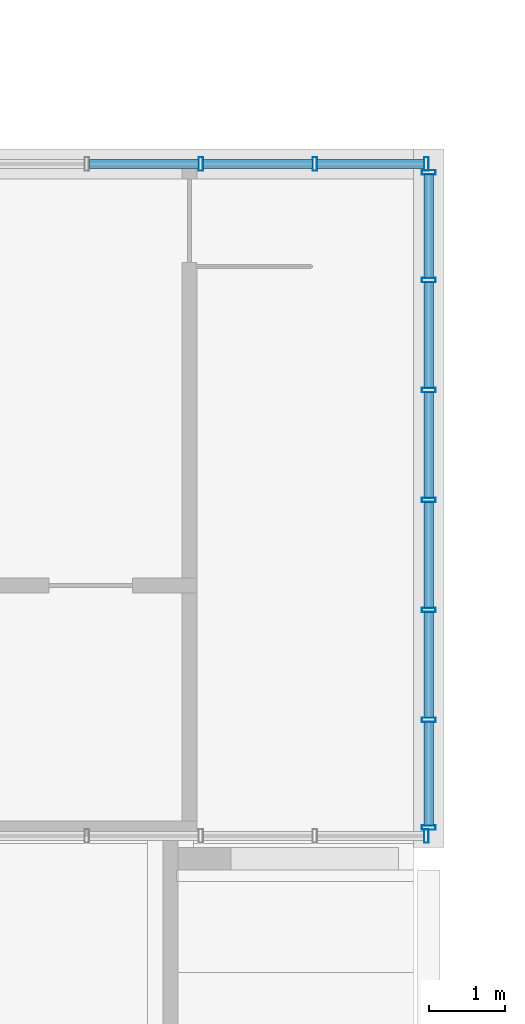
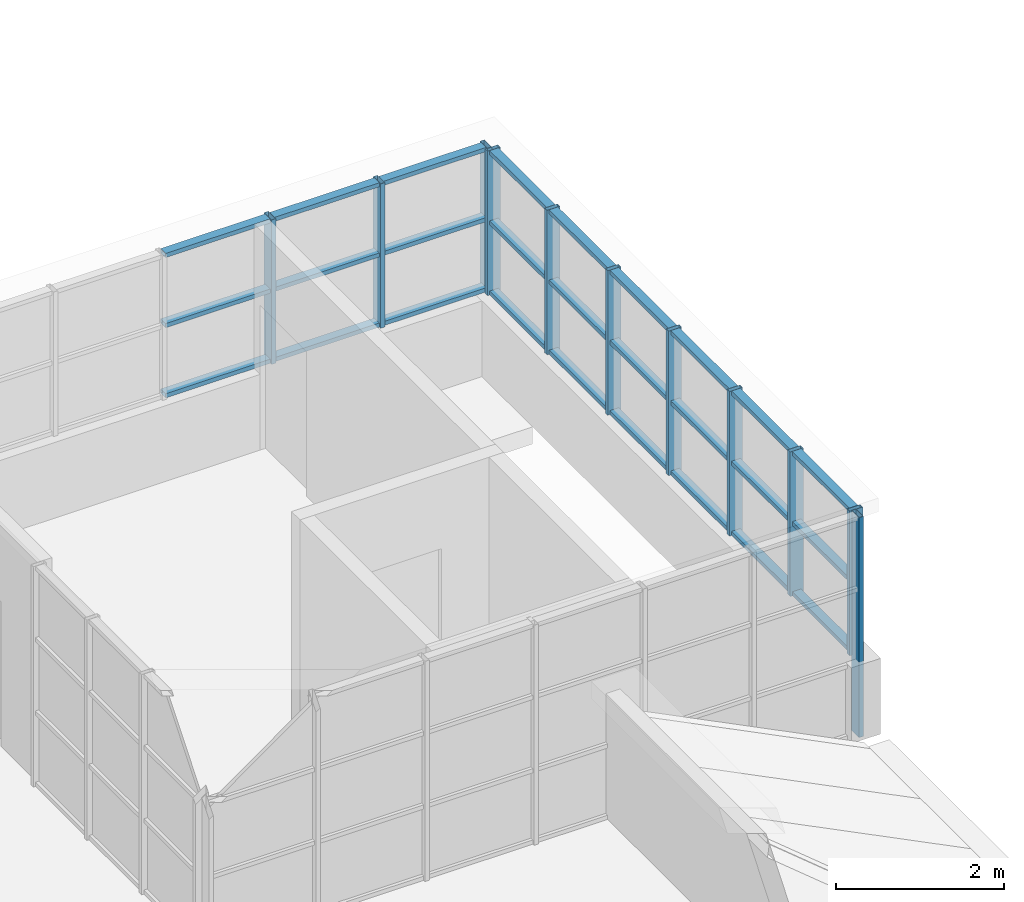
# One storey, part 5 of 69: 38 members, 3 elements without a shape of their own.
"""IFC4 building model written with IfcOpenShell, lengths in metres."""

from ifc_helpers import new_model, si_unit, direction, frame, origin, origin_2d, place, context, subcontext, project, spatial, hollow_rectangle, extrude, material, material_profile, profile_set, type_object, element, aggregate, save


model = new_model("IFC4")

# Units and contexts
model_context = context("Model", 3, precision=1e-05, world=origin(), true_north=direction((0.0, 1.0)))
body_context = subcontext(model_context, "Body", "Model", "MODEL_VIEW")
ifc_project = project(units=[si_unit("LENGTHUNIT", "METRE"), si_unit("AREAUNIT", "SQUARE_METRE"), si_unit("VOLUMEUNIT", "CUBIC_METRE"), si_unit("PLANEANGLEUNIT", "RADIAN"), si_unit("MASSUNIT", "GRAM", prefix="KILO")], contexts=[model_context])

# Site, building, storey
site_placement = place(None, origin())
site = spatial("IfcSite", under=ifc_project, at=site_placement, CompositionType="ELEMENT")
building_placement = place(site_placement, origin())
building = spatial("IfcBuilding", under=site, at=building_placement, Name="Kallimachos Central Library", CompositionType="ELEMENT")
storey_placement = place(building_placement, frame((0.0, 0.0, 23.39990234375)))
storey = spatial("IfcBuildingStorey", under=building, at=storey_placement, Name="L05", CompositionType="ELEMENT", Elevation=23.39990234375)

# Curtain wall, members
ifc_material_1 = material(Name="Aluminium and laminated glass", Category="aluminium")
curtain_wall_type = type_object("IfcCurtainWallType", Name="Glazed lantern wall", PredefinedType="NOTDEFINED", material=ifc_material_1)
curtain_wall_1_placement = place(storey_placement, origin())
curtain_wall_1 = element("IfcCurtainWall", 1, at=curtain_wall_1_placement, inside=storey, type_object=curtain_wall_type, Name="V5-CWL-L05-005", PredefinedType="NOTDEFINED")
ifc_material_2 = material(Name="Anodised aluminium", Category="aluminium")
ifc_material_profile_1 = material_profile(ifc_material_2, hollow_rectangle(XDim=0.06005859375, YDim=0.179931640625, WallThickness=0.00390625, at=origin_2d()), Name="ALU MULLION 60x180")
ifc_profile_set_1 = profile_set([ifc_material_profile_1], Name="Anodised aluminium")
member_type_1 = type_object("IfcMemberType", Name="ALU MULLION 60x180 mullion", PredefinedType="MULLION", material=ifc_profile_set_1)
member_1_placement = place(storey_placement, frame((98.5, 44.85009765625, 1.10009765625), z_axis=(0.0, 0.0, 1.0), x_axis=(1.0, 0.0, 0.0)))
member_1 = element("IfcMember", 2, at=member_1_placement, type_object=member_type_1, Name="CW6 mullion 5", PredefinedType="MULLION", context=body_context, shape_type="SweptSolid", body=[
    extrude(hollow_rectangle(XDim=0.06005859375, YDim=0.179931640625, WallThickness=0.00390625, at=origin_2d()), origin(), (0.0, 0.0, 1.0), 2.10009765625),
])
member_2_placement = place(storey_placement, frame((100.0, 44.85009765625, 1.10009765625), z_axis=(0.0, 0.0, 1.0), x_axis=(1.0, 0.0, 0.0)))
member_2 = element("IfcMember", 3, at=member_2_placement, type_object=member_type_1, Name="CW6 mullion 6", PredefinedType="MULLION", context=body_context, shape_type="SweptSolid", body=[
    extrude(hollow_rectangle(XDim=0.06005859375, YDim=0.179931640625, WallThickness=0.00390625, at=origin_2d()), origin(), (0.0, 0.0, 1.0), 2.10009765625),
])
member_3_placement = place(storey_placement, frame((101.469970703125, 44.85009765625, 1.10009765625), z_axis=(0.0, 0.0, 1.0), x_axis=(1.0, 0.0, 0.0)))
member_3 = element("IfcMember", 4, at=member_3_placement, type_object=member_type_1, Name="CW6 mullion 7", PredefinedType="MULLION", context=body_context, shape_type="SweptSolid", body=[
    extrude(hollow_rectangle(XDim=0.06005859375, YDim=0.179931640625, WallThickness=0.00390625, at=origin_2d()), origin(), (0.0, 0.0, 1.0), 2.10009765625),
])

curtain_wall_2_placement = place(storey_placement, origin())
curtain_wall_2 = element("IfcCurtainWall", 5, at=curtain_wall_2_placement, inside=storey, type_object=curtain_wall_type, Name="V5-CWL-L05-006", PredefinedType="NOTDEFINED")
member_4_placement = place(storey_placement, frame((101.5, 36.110107421875, 1.10009765625), z_axis=(0.0, 0.0, 1.0), x_axis=(0.0, 1.0, 0.0)))
member_4 = element("IfcMember", 6, at=member_4_placement, type_object=member_type_1, Name="CW7 mullion 1", PredefinedType="MULLION", context=body_context, shape_type="SweptSolid", body=[
    extrude(hollow_rectangle(XDim=0.06005859375, YDim=0.179931640625, WallThickness=0.00390625, at=origin_2d()), origin(), (0.0, 0.0, 1.0), 2.10009765625),
])
member_5_placement = place(storey_placement, frame((101.5, 37.5283203125, 1.10009765625), z_axis=(0.0, 0.0, 1.0), x_axis=(0.0, 1.0, 0.0)))
member_5 = element("IfcMember", 7, at=member_5_placement, type_object=member_type_1, Name="CW7 mullion 2", PredefinedType="MULLION", context=body_context, shape_type="SweptSolid", body=[
    extrude(hollow_rectangle(XDim=0.06005859375, YDim=0.179931640625, WallThickness=0.00390625, at=origin_2d()), origin(), (0.0, 0.0, 1.0), 2.10009765625),
])
member_6_placement = place(storey_placement, frame((101.5, 38.9765625, 1.10009765625), z_axis=(0.0, 0.0, 1.0), x_axis=(0.0, 1.0, 0.0)))
member_6 = element("IfcMember", 8, at=member_6_placement, type_object=member_type_1, Name="CW7 mullion 3", PredefinedType="MULLION", context=body_context, shape_type="SweptSolid", body=[
    extrude(hollow_rectangle(XDim=0.06005859375, YDim=0.179931640625, WallThickness=0.00390625, at=origin_2d()), origin(), (0.0, 0.0, 1.0), 2.10009765625),
])
member_7_placement = place(storey_placement, frame((101.5, 40.425048828125, 1.10009765625), z_axis=(0.0, 0.0, 1.0), x_axis=(0.0, 1.0, 0.0)))
member_7 = element("IfcMember", 9, at=member_7_placement, type_object=member_type_1, Name="CW7 mullion 4", PredefinedType="MULLION", context=body_context, shape_type="SweptSolid", body=[
    extrude(hollow_rectangle(XDim=0.06005859375, YDim=0.179931640625, WallThickness=0.00390625, at=origin_2d()), origin(), (0.0, 0.0, 1.0), 2.10009765625),
])
member_8_placement = place(storey_placement, frame((101.5, 41.873291015625, 1.10009765625), z_axis=(0.0, 0.0, 1.0), x_axis=(0.0, 1.0, 0.0)))
member_8 = element("IfcMember", 10, at=member_8_placement, type_object=member_type_1, Name="CW7 mullion 5", PredefinedType="MULLION", context=body_context, shape_type="SweptSolid", body=[
    extrude(hollow_rectangle(XDim=0.06005859375, YDim=0.179931640625, WallThickness=0.00390625, at=origin_2d()), origin(), (0.0, 0.0, 1.0), 2.10009765625),
])
member_9_placement = place(storey_placement, frame((101.5, 43.32177734375, 1.10009765625), z_axis=(0.0, 0.0, 1.0), x_axis=(0.0, 1.0, 0.0)))
member_9 = element("IfcMember", 11, at=member_9_placement, type_object=member_type_1, Name="CW7 mullion 6", PredefinedType="MULLION", context=body_context, shape_type="SweptSolid", body=[
    extrude(hollow_rectangle(XDim=0.06005859375, YDim=0.179931640625, WallThickness=0.00390625, at=origin_2d()), origin(), (0.0, 0.0, 1.0), 2.10009765625),
])
member_10_placement = place(storey_placement, frame((101.5, 44.739990234375, 1.10009765625), z_axis=(0.0, 0.0, 1.0), x_axis=(0.0, 1.0, 0.0)))
member_10 = element("IfcMember", 12, at=member_10_placement, type_object=member_type_1, Name="CW7 mullion 7", PredefinedType="MULLION", context=body_context, shape_type="SweptSolid", body=[
    extrude(hollow_rectangle(XDim=0.06005859375, YDim=0.179931640625, WallThickness=0.00390625, at=origin_2d()), origin(), (0.0, 0.0, 1.0), 2.10009765625),
])

# Curtain wall, member
curtain_wall_3_placement = place(storey_placement, origin())
curtain_wall_3 = element("IfcCurtainWall", 13, at=curtain_wall_3_placement, inside=storey, type_object=curtain_wall_type, Name="V5-CWL-L05-007", PredefinedType="NOTDEFINED")
member_11_placement = place(storey_placement, frame((101.469970703125, 36.0, 0.0), z_axis=(0.0, 0.0, 1.0), x_axis=(1.0, 0.0, 0.0)))
member_11 = element("IfcMember", 14, at=member_11_placement, type_object=member_type_1, Name="CW8 mullion 7", PredefinedType="MULLION", context=body_context, shape_type="SweptSolid", body=[
    extrude(hollow_rectangle(XDim=0.06005859375, YDim=0.179931640625, WallThickness=0.00390625, at=origin_2d()), origin(), (0.0, 0.0, 1.0), 3.2001953125),
])
aggregate(curtain_wall_3, [member_11])

# Member
ifc_material_3 = material(Name="Anodised aluminium", Category="aluminium")
ifc_material_profile_2 = material_profile(ifc_material_3, hollow_rectangle(XDim=0.06005859375, YDim=0.1201171875, WallThickness=0.00390625, at=origin_2d()), Name="ALU TRANSOM 60x120")
ifc_profile_set_2 = profile_set([ifc_material_profile_2], Name="Anodised aluminium")
member_type_2 = type_object("IfcMemberType", Name="ALU TRANSOM 60x120 transom", PredefinedType="USERDEFINED", material=ifc_profile_set_2)
member_12_placement = place(storey_placement, frame((97.030029296875, 44.85009765625, 1.130126953125), z_axis=(1.0, 0.0, 0.0), x_axis=(0.0, 0.0, 1.0)))
member_12 = element("IfcMember", 15, at=member_12_placement, type_object=member_type_2, Name="CW6 transom 4.1", ObjectType="TRANSOM", PredefinedType="USERDEFINED", context=body_context, shape_type="SweptSolid", body=[
    extrude(hollow_rectangle(XDim=0.06005859375, YDim=0.1201171875, WallThickness=0.00390625, at=origin_2d()), origin(), (0.0, 0.0, 1.0), 1.43994140625),
])

member_13_placement = place(storey_placement, frame((97.030029296875, 44.85009765625, 2.150146484375), z_axis=(1.0, 0.0, 0.0), x_axis=(0.0, 0.0, 1.0)))
member_13 = element("IfcMember", 16, at=member_13_placement, type_object=member_type_2, Name="CW6 transom 4.2", ObjectType="TRANSOM", PredefinedType="USERDEFINED", context=body_context, shape_type="SweptSolid", body=[
    extrude(hollow_rectangle(XDim=0.06005859375, YDim=0.1201171875, WallThickness=0.00390625, at=origin_2d()), origin(), (0.0, 0.0, 1.0), 1.43994140625),
])

member_14_placement = place(storey_placement, frame((97.030029296875, 44.85009765625, 3.170166015625), z_axis=(1.0, 0.0, 0.0), x_axis=(0.0, 0.0, 1.0)))
member_14 = element("IfcMember", 17, at=member_14_placement, type_object=member_type_2, Name="CW6 transom 4.3", ObjectType="TRANSOM", PredefinedType="USERDEFINED", context=body_context, shape_type="SweptSolid", body=[
    extrude(hollow_rectangle(XDim=0.06005859375, YDim=0.1201171875, WallThickness=0.00390625, at=origin_2d()), origin(), (0.0, 0.0, 1.0), 1.43994140625),
])

member_15_placement = place(storey_placement, frame((98.530029296875, 44.85009765625, 1.130126953125), z_axis=(1.0, 0.0, 0.0), x_axis=(0.0, 0.0, 1.0)))
member_15 = element("IfcMember", 18, at=member_15_placement, type_object=member_type_2, Name="CW6 transom 5.1", ObjectType="TRANSOM", PredefinedType="USERDEFINED", context=body_context, shape_type="SweptSolid", body=[
    extrude(hollow_rectangle(XDim=0.06005859375, YDim=0.1201171875, WallThickness=0.00390625, at=origin_2d()), origin(), (0.0, 0.0, 1.0), 1.43994140625),
])

member_16_placement = place(storey_placement, frame((98.530029296875, 44.85009765625, 2.150146484375), z_axis=(1.0, 0.0, 0.0), x_axis=(0.0, 0.0, 1.0)))
member_16 = element("IfcMember", 19, at=member_16_placement, type_object=member_type_2, Name="CW6 transom 5.2", ObjectType="TRANSOM", PredefinedType="USERDEFINED", context=body_context, shape_type="SweptSolid", body=[
    extrude(hollow_rectangle(XDim=0.06005859375, YDim=0.1201171875, WallThickness=0.00390625, at=origin_2d()), origin(), (0.0, 0.0, 1.0), 1.43994140625),
])

member_17_placement = place(storey_placement, frame((98.530029296875, 44.85009765625, 3.170166015625), z_axis=(1.0, 0.0, 0.0), x_axis=(0.0, 0.0, 1.0)))
member_17 = element("IfcMember", 20, at=member_17_placement, type_object=member_type_2, Name="CW6 transom 5.3", ObjectType="TRANSOM", PredefinedType="USERDEFINED", context=body_context, shape_type="SweptSolid", body=[
    extrude(hollow_rectangle(XDim=0.06005859375, YDim=0.1201171875, WallThickness=0.00390625, at=origin_2d()), origin(), (0.0, 0.0, 1.0), 1.43994140625),
])

member_18_placement = place(storey_placement, frame((100.030029296875, 44.85009765625, 1.130126953125), z_axis=(1.0, 0.0, 0.0), x_axis=(0.0, 0.0, 1.0)))
member_18 = element("IfcMember", 21, at=member_18_placement, type_object=member_type_2, Name="CW6 transom 6.1", ObjectType="TRANSOM", PredefinedType="USERDEFINED", context=body_context, shape_type="SweptSolid", body=[
    extrude(hollow_rectangle(XDim=0.06005859375, YDim=0.1201171875, WallThickness=0.00390625, at=origin_2d()), origin(), (0.0, 0.0, 1.0), 1.409912109375),
])

member_19_placement = place(storey_placement, frame((100.030029296875, 44.85009765625, 2.150146484375), z_axis=(1.0, 0.0, 0.0), x_axis=(0.0, 0.0, 1.0)))
member_19 = element("IfcMember", 22, at=member_19_placement, type_object=member_type_2, Name="CW6 transom 6.2", ObjectType="TRANSOM", PredefinedType="USERDEFINED", context=body_context, shape_type="SweptSolid", body=[
    extrude(hollow_rectangle(XDim=0.06005859375, YDim=0.1201171875, WallThickness=0.00390625, at=origin_2d()), origin(), (0.0, 0.0, 1.0), 1.409912109375),
])

member_20_placement = place(storey_placement, frame((100.030029296875, 44.85009765625, 3.170166015625), z_axis=(1.0, 0.0, 0.0), x_axis=(0.0, 0.0, 1.0)))
member_20 = element("IfcMember", 23, at=member_20_placement, type_object=member_type_2, Name="CW6 transom 6.3", ObjectType="TRANSOM", PredefinedType="USERDEFINED", context=body_context, shape_type="SweptSolid", body=[
    extrude(hollow_rectangle(XDim=0.06005859375, YDim=0.1201171875, WallThickness=0.00390625, at=origin_2d()), origin(), (0.0, 0.0, 1.0), 1.409912109375),
])

aggregate(curtain_wall_1, [member_1, member_2, member_3, member_12, member_13, member_14, member_15, member_16, member_17, member_18, member_19, member_20])

member_21_placement = place(storey_placement, frame((101.5, 36.139892578125, 1.130126953125), z_axis=(0.0, 1.0, 0.0), x_axis=(0.0, 0.0, 1.0)))
member_21 = element("IfcMember", 24, at=member_21_placement, type_object=member_type_2, Name="CW7 transom 1.1", ObjectType="TRANSOM", PredefinedType="USERDEFINED", context=body_context, shape_type="SweptSolid", body=[
    extrude(hollow_rectangle(XDim=0.06005859375, YDim=0.1201171875, WallThickness=0.00390625, at=origin_2d()), origin(), (0.0, 0.0, 1.0), 1.3583984375),
])

member_22_placement = place(storey_placement, frame((101.5, 36.139892578125, 2.150146484375), z_axis=(0.0, 1.0, 0.0), x_axis=(0.0, 0.0, 1.0)))
member_22 = element("IfcMember", 25, at=member_22_placement, type_object=member_type_2, Name="CW7 transom 1.2", ObjectType="TRANSOM", PredefinedType="USERDEFINED", context=body_context, shape_type="SweptSolid", body=[
    extrude(hollow_rectangle(XDim=0.06005859375, YDim=0.1201171875, WallThickness=0.00390625, at=origin_2d()), origin(), (0.0, 0.0, 1.0), 1.3583984375),
])

member_23_placement = place(storey_placement, frame((101.5, 36.139892578125, 3.170166015625), z_axis=(0.0, 1.0, 0.0), x_axis=(0.0, 0.0, 1.0)))
member_23 = element("IfcMember", 26, at=member_23_placement, type_object=member_type_2, Name="CW7 transom 1.3", ObjectType="TRANSOM", PredefinedType="USERDEFINED", context=body_context, shape_type="SweptSolid", body=[
    extrude(hollow_rectangle(XDim=0.06005859375, YDim=0.1201171875, WallThickness=0.00390625, at=origin_2d()), origin(), (0.0, 0.0, 1.0), 1.3583984375),
])

member_24_placement = place(storey_placement, frame((101.5, 37.558349609375, 1.130126953125), z_axis=(0.0, 1.0, 0.0), x_axis=(0.0, 0.0, 1.0)))
member_24 = element("IfcMember", 27, at=member_24_placement, type_object=member_type_2, Name="CW7 transom 2.1", ObjectType="TRANSOM", PredefinedType="USERDEFINED", context=body_context, shape_type="SweptSolid", body=[
    extrude(hollow_rectangle(XDim=0.06005859375, YDim=0.1201171875, WallThickness=0.00390625, at=origin_2d()), origin(), (0.0, 0.0, 1.0), 1.388427734375),
])

member_25_placement = place(storey_placement, frame((101.5, 37.558349609375, 2.150146484375), z_axis=(0.0, 1.0, 0.0), x_axis=(0.0, 0.0, 1.0)))
member_25 = element("IfcMember", 28, at=member_25_placement, type_object=member_type_2, Name="CW7 transom 2.2", ObjectType="TRANSOM", PredefinedType="USERDEFINED", context=body_context, shape_type="SweptSolid", body=[
    extrude(hollow_rectangle(XDim=0.06005859375, YDim=0.1201171875, WallThickness=0.00390625, at=origin_2d()), origin(), (0.0, 0.0, 1.0), 1.388427734375),
])

member_26_placement = place(storey_placement, frame((101.5, 37.558349609375, 3.170166015625), z_axis=(0.0, 1.0, 0.0), x_axis=(0.0, 0.0, 1.0)))
member_26 = element("IfcMember", 29, at=member_26_placement, type_object=member_type_2, Name="CW7 transom 2.3", ObjectType="TRANSOM", PredefinedType="USERDEFINED", context=body_context, shape_type="SweptSolid", body=[
    extrude(hollow_rectangle(XDim=0.06005859375, YDim=0.1201171875, WallThickness=0.00390625, at=origin_2d()), origin(), (0.0, 0.0, 1.0), 1.388427734375),
])

member_27_placement = place(storey_placement, frame((101.5, 39.006591796875, 1.130126953125), z_axis=(0.0, 1.0, 0.0), x_axis=(0.0, 0.0, 1.0)))
member_27 = element("IfcMember", 30, at=member_27_placement, type_object=member_type_2, Name="CW7 transom 3.1", ObjectType="TRANSOM", PredefinedType="USERDEFINED", context=body_context, shape_type="SweptSolid", body=[
    extrude(hollow_rectangle(XDim=0.06005859375, YDim=0.1201171875, WallThickness=0.00390625, at=origin_2d()), origin(), (0.0, 0.0, 1.0), 1.388427734375),
])

member_28_placement = place(storey_placement, frame((101.5, 39.006591796875, 2.150146484375), z_axis=(0.0, 1.0, 0.0), x_axis=(0.0, 0.0, 1.0)))
member_28 = element("IfcMember", 31, at=member_28_placement, type_object=member_type_2, Name="CW7 transom 3.2", ObjectType="TRANSOM", PredefinedType="USERDEFINED", context=body_context, shape_type="SweptSolid", body=[
    extrude(hollow_rectangle(XDim=0.06005859375, YDim=0.1201171875, WallThickness=0.00390625, at=origin_2d()), origin(), (0.0, 0.0, 1.0), 1.388427734375),
])

member_29_placement = place(storey_placement, frame((101.5, 39.006591796875, 3.170166015625), z_axis=(0.0, 1.0, 0.0), x_axis=(0.0, 0.0, 1.0)))
member_29 = element("IfcMember", 32, at=member_29_placement, type_object=member_type_2, Name="CW7 transom 3.3", ObjectType="TRANSOM", PredefinedType="USERDEFINED", context=body_context, shape_type="SweptSolid", body=[
    extrude(hollow_rectangle(XDim=0.06005859375, YDim=0.1201171875, WallThickness=0.00390625, at=origin_2d()), origin(), (0.0, 0.0, 1.0), 1.388427734375),
])

member_30_placement = place(storey_placement, frame((101.5, 40.455078125, 1.130126953125), z_axis=(0.0, 1.0, 0.0), x_axis=(0.0, 0.0, 1.0)))
member_30 = element("IfcMember", 33, at=member_30_placement, type_object=member_type_2, Name="CW7 transom 4.1", ObjectType="TRANSOM", PredefinedType="USERDEFINED", context=body_context, shape_type="SweptSolid", body=[
    extrude(hollow_rectangle(XDim=0.06005859375, YDim=0.1201171875, WallThickness=0.00390625, at=origin_2d()), origin(), (0.0, 0.0, 1.0), 1.38818359375),
])

member_31_placement = place(storey_placement, frame((101.5, 40.455078125, 2.150146484375), z_axis=(0.0, 1.0, 0.0), x_axis=(0.0, 0.0, 1.0)))
member_31 = element("IfcMember", 34, at=member_31_placement, type_object=member_type_2, Name="CW7 transom 4.2", ObjectType="TRANSOM", PredefinedType="USERDEFINED", context=body_context, shape_type="SweptSolid", body=[
    extrude(hollow_rectangle(XDim=0.06005859375, YDim=0.1201171875, WallThickness=0.00390625, at=origin_2d()), origin(), (0.0, 0.0, 1.0), 1.38818359375),
])

member_32_placement = place(storey_placement, frame((101.5, 40.455078125, 3.170166015625), z_axis=(0.0, 1.0, 0.0), x_axis=(0.0, 0.0, 1.0)))
member_32 = element("IfcMember", 35, at=member_32_placement, type_object=member_type_2, Name="CW7 transom 4.3", ObjectType="TRANSOM", PredefinedType="USERDEFINED", context=body_context, shape_type="SweptSolid", body=[
    extrude(hollow_rectangle(XDim=0.06005859375, YDim=0.1201171875, WallThickness=0.00390625, at=origin_2d()), origin(), (0.0, 0.0, 1.0), 1.38818359375),
])

member_33_placement = place(storey_placement, frame((101.5, 41.9033203125, 1.130126953125), z_axis=(0.0, 1.0, 0.0), x_axis=(0.0, 0.0, 1.0)))
member_33 = element("IfcMember", 36, at=member_33_placement, type_object=member_type_2, Name="CW7 transom 5.1", ObjectType="TRANSOM", PredefinedType="USERDEFINED", context=body_context, shape_type="SweptSolid", body=[
    extrude(hollow_rectangle(XDim=0.06005859375, YDim=0.1201171875, WallThickness=0.00390625, at=origin_2d()), origin(), (0.0, 0.0, 1.0), 1.388427734375),
])

member_34_placement = place(storey_placement, frame((101.5, 41.9033203125, 2.150146484375), z_axis=(0.0, 1.0, 0.0), x_axis=(0.0, 0.0, 1.0)))
member_34 = element("IfcMember", 37, at=member_34_placement, type_object=member_type_2, Name="CW7 transom 5.2", ObjectType="TRANSOM", PredefinedType="USERDEFINED", context=body_context, shape_type="SweptSolid", body=[
    extrude(hollow_rectangle(XDim=0.06005859375, YDim=0.1201171875, WallThickness=0.00390625, at=origin_2d()), origin(), (0.0, 0.0, 1.0), 1.388427734375),
])

member_35_placement = place(storey_placement, frame((101.5, 41.9033203125, 3.170166015625), z_axis=(0.0, 1.0, 0.0), x_axis=(0.0, 0.0, 1.0)))
member_35 = element("IfcMember", 38, at=member_35_placement, type_object=member_type_2, Name="CW7 transom 5.3", ObjectType="TRANSOM", PredefinedType="USERDEFINED", context=body_context, shape_type="SweptSolid", body=[
    extrude(hollow_rectangle(XDim=0.06005859375, YDim=0.1201171875, WallThickness=0.00390625, at=origin_2d()), origin(), (0.0, 0.0, 1.0), 1.388427734375),
])

member_36_placement = place(storey_placement, frame((101.5, 43.3515625, 1.130126953125), z_axis=(0.0, 1.0, 0.0), x_axis=(0.0, 0.0, 1.0)))
member_36 = element("IfcMember", 39, at=member_36_placement, type_object=member_type_2, Name="CW7 transom 6.1", ObjectType="TRANSOM", PredefinedType="USERDEFINED", context=body_context, shape_type="SweptSolid", body=[
    extrude(hollow_rectangle(XDim=0.06005859375, YDim=0.1201171875, WallThickness=0.00390625, at=origin_2d()), origin(), (0.0, 0.0, 1.0), 1.3583984375),
])

member_37_placement = place(storey_placement, frame((101.5, 43.3515625, 2.150146484375), z_axis=(0.0, 1.0, 0.0), x_axis=(0.0, 0.0, 1.0)))
member_37 = element("IfcMember", 40, at=member_37_placement, type_object=member_type_2, Name="CW7 transom 6.2", ObjectType="TRANSOM", PredefinedType="USERDEFINED", context=body_context, shape_type="SweptSolid", body=[
    extrude(hollow_rectangle(XDim=0.06005859375, YDim=0.1201171875, WallThickness=0.00390625, at=origin_2d()), origin(), (0.0, 0.0, 1.0), 1.3583984375),
])

member_38_placement = place(storey_placement, frame((101.5, 43.3515625, 3.170166015625), z_axis=(0.0, 1.0, 0.0), x_axis=(0.0, 0.0, 1.0)))
member_38 = element("IfcMember", 41, at=member_38_placement, type_object=member_type_2, Name="CW7 transom 6.3", ObjectType="TRANSOM", PredefinedType="USERDEFINED", context=body_context, shape_type="SweptSolid", body=[
    extrude(hollow_rectangle(XDim=0.06005859375, YDim=0.1201171875, WallThickness=0.00390625, at=origin_2d()), origin(), (0.0, 0.0, 1.0), 1.3583984375),
])

aggregate(curtain_wall_2, [member_4, member_5, member_6, member_7, member_8, member_9, member_10, member_21, member_22, member_23, member_24, member_25, member_26, member_27, member_28, member_29, member_30, member_31, member_32, member_33, member_34, member_35, member_36, member_37, member_38])

save(model, "model.ifc")
